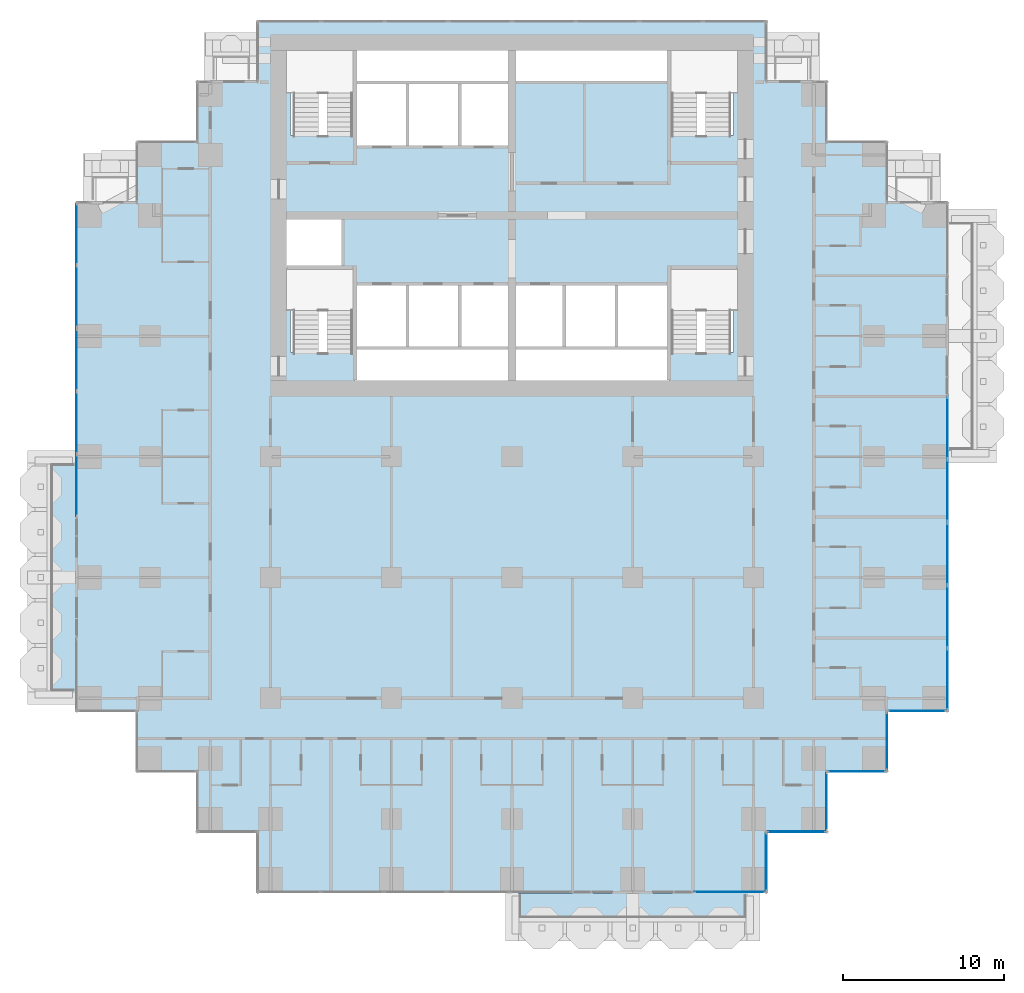
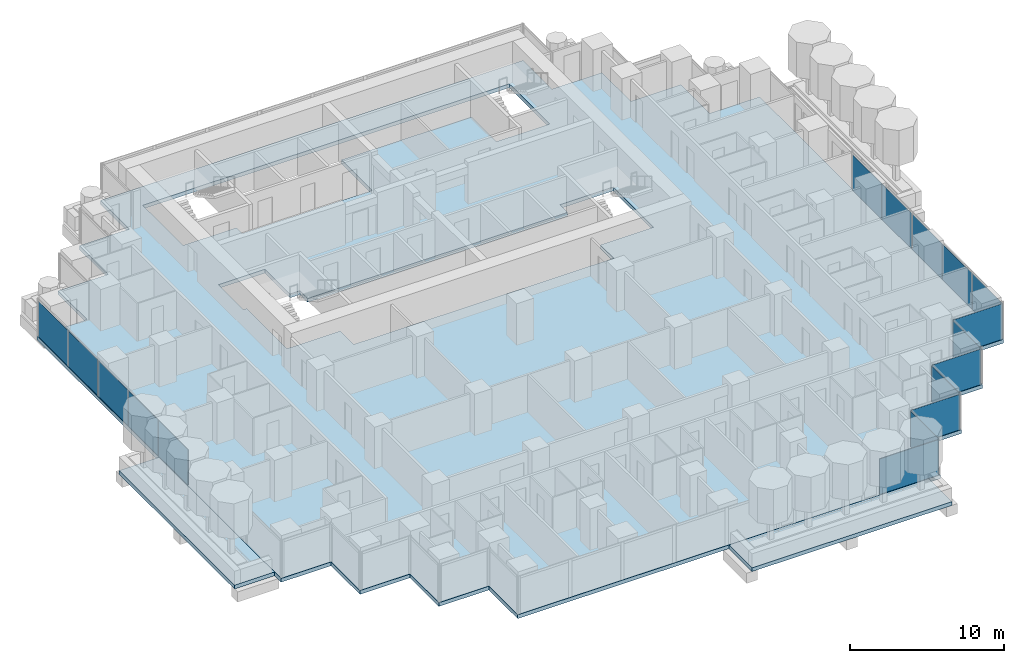
# One storey, part 8 of 20: 17 plates, 3 slabs, 11 elements without a shape of their own.
"""IFC4 building model written with IfcOpenShell, lengths in metres."""

from ifc_helpers import new_model, si_unit, direction, frame, origin, origin_2d, place, context, subcontext, project, spatial, polyline, rectangle, outline, extrude, material, layer, layer_set, type_object, element, aggregate, save


model = new_model("IFC4")

# Units and contexts
model_context = context("Model", 3, precision=1e-05, world=origin(), true_north=direction((0.0, 1.0)))
body_context = subcontext(model_context, "Body", "Model", "MODEL_VIEW")
ifc_project = project(units=[si_unit("LENGTHUNIT", "METRE"), si_unit("AREAUNIT", "SQUARE_METRE"), si_unit("VOLUMEUNIT", "CUBIC_METRE"), si_unit("PLANEANGLEUNIT", "RADIAN"), si_unit("MASSUNIT", "GRAM", prefix="KILO")], contexts=[model_context])

# Site, building, storey
site_placement = place(None, origin())
site = spatial("IfcSite", under=ifc_project, at=site_placement, CompositionType="ELEMENT")
building_placement = place(site_placement, origin())
building = spatial("IfcBuilding", under=site, at=building_placement, Name="Pilkhan Gate Tower", CompositionType="ELEMENT")
storey_placement = place(building_placement, frame((0.0, 0.0, 92.300048828125)))
storey = spatial("IfcBuildingStorey", under=building, at=storey_placement, Name="L22", CompositionType="ELEMENT", Elevation=92.300048828125)

# Slabs
ifc_material_1 = material(Name="Concrete C60/75", Category="concrete")
ifc_layer_1 = layer(ifc_material_1, 0.300048828125)
ifc_layer_set_1 = layer_set([ifc_layer_1], Name="Balcony tray slab TR300")
slab_type_1 = type_object("IfcSlabType", Name="Balcony tray slab TR300", PredefinedType="FLOOR", material=ifc_layer_set_1)
slab_1_placement = place(storey_placement, frame((0.0, 0.0, -0.300048828125)))
element("IfcSlab", 1, at=slab_1_placement, inside=storey, type_object=slab_type_1, Name="Balcony tray L22 S", PredefinedType="FLOOR", context=body_context, shape_type="SweptSolid", body=[
    extrude(outline(polyline([(90.0, 37.39990234375), (90.0, 40.39990234375), (75.0, 40.39990234375), (75.0, 37.39990234375), (90.0, 37.39990234375)])), origin(), (0.0, 0.0, 1.0), 0.300048828125),
])
slab_2_placement = place(storey_placement, frame((0.0, 0.0, -0.300048828125)))
element("IfcSlab", 2, at=slab_2_placement, inside=storey, type_object=slab_type_1, Name="Balcony tray L22 W", PredefinedType="FLOOR", context=body_context, shape_type="SweptSolid", body=[
    extrude(outline(polyline([(47.89990234375, 52.5), (47.89990234375, 67.5), (44.89990234375, 67.5), (44.89990234375, 52.5), (47.89990234375, 52.5)])), origin(), (0.0, 0.0, 1.0), 0.300048828125),
])
ifc_material_2 = material(Name="Concrete C40/50", Category="concrete")
ifc_layer_2 = layer(ifc_material_2, 0.300048828125)
ifc_layer_set_2 = layer_set([ifc_layer_2], Name="Flat plate slab FP300")
slab_type_2 = type_object("IfcSlabType", Name="Flat plate slab FP300", PredefinedType="FLOOR", material=ifc_layer_set_2)
slab_3_placement = place(storey_placement, frame((0.0, 0.0, -0.300048828125)))
element("IfcSlab", 3, at=slab_3_placement, inside=storey, type_object=slab_type_2, Name="Floor slab L22", PredefinedType="FLOOR", context=body_context, shape_type="SweptSolid", body=[
    extrude(outline(polyline([(98.35009765625, 47.89990234375), (94.60009765625, 47.89990234375), (94.60009765625, 44.14990234375), (90.85009765625, 44.14990234375), (90.85009765625, 40.39990234375), (59.14990234375, 40.39990234375), (59.14990234375, 44.14990234375), (55.39990234375, 44.14990234375), (55.39990234375, 47.89990234375), (51.64990234375, 47.89990234375), (51.64990234375, 51.64990234375), (47.89990234375, 51.64990234375), (47.89990234375, 83.35009765625), (51.64990234375, 83.35009765625), (51.64990234375, 87.10009765625), (55.39990234375, 87.10009765625), (55.39990234375, 90.85009765625), (59.14990234375, 90.85009765625), (59.14990234375, 94.60009765625), (90.85009765625, 94.60009765625), (90.85009765625, 90.85009765625), (94.60009765625, 90.85009765625), (94.60009765625, 87.10009765625), (98.35009765625, 87.10009765625), (98.35009765625, 83.35009765625), (102.10009765625, 83.35009765625), (102.10009765625, 51.64990234375), (98.35009765625, 51.64990234375), (98.35009765625, 47.89990234375)]), holes=[polyline([(65.25, 87.5), (65.25, 86.75), (68.5, 86.75), (71.75, 86.75), (75.0, 86.75), (75.0, 90.75), (84.75, 90.75), (84.75, 87.5), (88.75, 87.5), (88.75, 92.75), (84.75, 92.75), (75.0, 92.75), (65.25, 92.75), (61.25, 92.75), (61.25, 87.5), (65.25, 87.5)]), polyline([(75.0, 72.25), (84.75, 72.25), (84.75, 74.0), (88.75, 74.0), (88.75, 79.25), (84.75, 79.25), (84.75, 78.25), (81.5, 78.25), (78.25, 78.25), (75.0, 78.25), (71.75, 78.25), (68.5, 78.25), (65.25, 78.25), (65.25, 79.25), (64.5, 79.25), (64.5, 82.5), (61.25, 82.5), (61.0, 82.5), (61.0, 79.25), (61.25, 79.25), (61.25, 74.0), (65.25, 74.0), (65.25, 72.25), (75.0, 72.25)])]), origin(), (0.0, 0.0, 1.0), 0.300048828125),
])

# Curtain wall, plates
ifc_material_3 = material(Name="Pale anodised aluminium, clear low-iron double glazing", Category="aluminium")
curtain_wall_type = type_object("IfcCurtainWallType", Name="Hotel unitised curtain wall CW-H", PredefinedType="USERDEFINED", material=ifc_material_3)
curtain_wall_1_placement = place(storey_placement, origin())
curtain_wall_1 = element("IfcCurtainWall", 4, at=curtain_wall_1_placement, inside=storey, type_object=curtain_wall_type, Name="Hotel unitised curtain wall CW-H L22 E", ObjectType="UNITISED CURTAIN WALL", PredefinedType="USERDEFINED")
ifc_material_4 = material(Name="Clear low-iron double glazing", Category="glass")
ifc_layer_3 = layer(ifc_material_4, 0.035888671875)
ifc_layer_set_3 = layer_set([ifc_layer_3], Name="Glass panel CW-H 36")
plate_type = type_object("IfcPlateType", Name="Glass panel CW-H 36", PredefinedType="CURTAIN_PANEL", material=ifc_layer_set_3)
plate_1_placement = place(storey_placement, frame((102.044921875, 53.67578125, 0.0), z_axis=(0.0, 0.0, 1.0), x_axis=(0.0, 1.0, 0.0)))
plate_1 = element("IfcPlate", 5, at=plate_1_placement, type_object=plate_type, Name="CW-H panel 1", PredefinedType="CURTAIN_PANEL", context=body_context, shape_type="SweptSolid", body=[
    extrude(rectangle(XDim=3.8115234375, YDim=0.035888671875, at=origin_2d()), origin(), (0.0, 0.0, 1.0), 2.820068359375),
])
plate_2_placement = place(storey_placement, frame((102.044921875, 57.568603515625, 0.0), z_axis=(0.0, 0.0, 1.0), x_axis=(0.0, 1.0, 0.0)))
plate_2 = element("IfcPlate", 6, at=plate_2_placement, type_object=plate_type, Name="CW-H panel 2", PredefinedType="CURTAIN_PANEL", context=body_context, shape_type="SweptSolid", body=[
    extrude(rectangle(XDim=3.843994140625, YDim=0.035888671875, at=origin_2d()), origin(), (0.0, 0.0, 1.0), 2.820068359375),
])
plate_3_placement = place(storey_placement, frame((102.044921875, 61.461181640625, 0.0), z_axis=(0.0, 0.0, 1.0), x_axis=(0.0, 1.0, 0.0)))
plate_3 = element("IfcPlate", 7, at=plate_3_placement, type_object=plate_type, Name="CW-H panel 3", PredefinedType="CURTAIN_PANEL", context=body_context, shape_type="SweptSolid", body=[
    extrude(rectangle(XDim=3.8115234375, YDim=0.035888671875, at=origin_2d()), origin(), (0.0, 0.0, 1.0), 2.820068359375),
])
aggregate(curtain_wall_1, [plate_1, plate_2, plate_3])

curtain_wall_2_placement = place(storey_placement, origin())
curtain_wall_2 = element("IfcCurtainWall", 8, at=curtain_wall_2_placement, inside=storey, type_object=curtain_wall_type, Name="Hotel unitised curtain wall CW-H L22 E", ObjectType="UNITISED CURTAIN WALL", PredefinedType="USERDEFINED")
plate_4_placement = place(storey_placement, frame((102.044921875, 65.40283203125, 0.0), z_axis=(0.0, 0.0, 1.0), x_axis=(0.0, 1.0, 0.0)))
plate_4 = element("IfcPlate", 9, at=plate_4_placement, type_object=plate_type, Name="CW-H panel 1", PredefinedType="CURTAIN_PANEL", context=body_context, shape_type="SweptSolid", body=[
    extrude(rectangle(XDim=3.8115234375, YDim=0.035888671875, at=origin_2d()), origin(), (0.0, 0.0, 1.0), 2.820068359375),
])
plate_5_placement = place(storey_placement, frame((102.044921875, 69.279296875, 0.0), z_axis=(0.0, 0.0, 1.0), x_axis=(0.0, 1.0, 0.0)))
plate_5 = element("IfcPlate", 10, at=plate_5_placement, type_object=plate_type, Name="CW-H panel 2", PredefinedType="CURTAIN_PANEL", context=body_context, shape_type="SweptSolid", body=[
    extrude(rectangle(XDim=3.8115234375, YDim=0.035888671875, at=origin_2d()), origin(), (0.0, 0.0, 1.0), 2.820068359375),
])
aggregate(curtain_wall_2, [plate_4, plate_5])

curtain_wall_3_placement = place(storey_placement, origin())
curtain_wall_3 = element("IfcCurtainWall", 11, at=curtain_wall_3_placement, inside=storey, type_object=curtain_wall_type, Name="Hotel unitised curtain wall CW-H L22 W", ObjectType="UNITISED CURTAIN WALL", PredefinedType="USERDEFINED")
plate_6_placement = place(storey_placement, frame((47.955078125, 65.720703125, 0.0), z_axis=(0.0, 0.0, 1.0), x_axis=(0.0, 1.0, 0.0)))
plate_6 = element("IfcPlate", 12, at=plate_6_placement, type_object=plate_type, Name="CW-H panel 1", PredefinedType="CURTAIN_PANEL", context=body_context, shape_type="SweptSolid", body=[
    extrude(rectangle(XDim=3.8115234375, YDim=0.035888671875, at=origin_2d()), origin(), (0.0, 0.0, 1.0), 2.820068359375),
])
plate_7_placement = place(storey_placement, frame((47.955078125, 69.613525390625, 0.0), z_axis=(0.0, 0.0, 1.0), x_axis=(0.0, 1.0, 0.0)))
plate_7 = element("IfcPlate", 13, at=plate_7_placement, type_object=plate_type, Name="CW-H panel 2", PredefinedType="CURTAIN_PANEL", context=body_context, shape_type="SweptSolid", body=[
    extrude(rectangle(XDim=3.843994140625, YDim=0.035888671875, at=origin_2d()), origin(), (0.0, 0.0, 1.0), 2.820068359375),
])
plate_8_placement = place(storey_placement, frame((47.955078125, 73.50634765625, 0.0), z_axis=(0.0, 0.0, 1.0), x_axis=(0.0, 1.0, 0.0)))
plate_8 = element("IfcPlate", 14, at=plate_8_placement, type_object=plate_type, Name="CW-H panel 3", PredefinedType="CURTAIN_PANEL", context=body_context, shape_type="SweptSolid", body=[
    extrude(rectangle(XDim=3.8115234375, YDim=0.035888671875, at=origin_2d()), origin(), (0.0, 0.0, 1.0), 2.820068359375),
])
aggregate(curtain_wall_3, [plate_6, plate_7, plate_8])

curtain_wall_4_placement = place(storey_placement, origin())
curtain_wall_4 = element("IfcCurtainWall", 15, at=curtain_wall_4_placement, inside=storey, type_object=curtain_wall_type, Name="Hotel unitised curtain wall CW-H L22 W", ObjectType="UNITISED CURTAIN WALL", PredefinedType="USERDEFINED")
plate_9_placement = place(storey_placement, frame((47.955078125, 77.44775390625, 0.0), z_axis=(0.0, 0.0, 1.0), x_axis=(0.0, 1.0, 0.0)))
plate_9 = element("IfcPlate", 16, at=plate_9_placement, type_object=plate_type, Name="CW-H panel 1", PredefinedType="CURTAIN_PANEL", context=body_context, shape_type="SweptSolid", body=[
    extrude(rectangle(XDim=3.8115234375, YDim=0.035888671875, at=origin_2d()), origin(), (0.0, 0.0, 1.0), 2.820068359375),
])
plate_10_placement = place(storey_placement, frame((47.955078125, 81.32421875, 0.0), z_axis=(0.0, 0.0, 1.0), x_axis=(0.0, 1.0, 0.0)))
plate_10 = element("IfcPlate", 17, at=plate_10_placement, type_object=plate_type, Name="CW-H panel 2", PredefinedType="CURTAIN_PANEL", context=body_context, shape_type="SweptSolid", body=[
    extrude(rectangle(XDim=3.8115234375, YDim=0.035888671875, at=origin_2d()), origin(), (0.0, 0.0, 1.0), 2.820068359375),
])
aggregate(curtain_wall_4, [plate_9, plate_10])

# Curtain wall, plate
curtain_wall_5_placement = place(storey_placement, origin())
curtain_wall_5 = element("IfcCurtainWall", 18, at=curtain_wall_5_placement, inside=storey, type_object=curtain_wall_type, Name="Hotel unitised curtain wall CW-H L22 S", ObjectType="UNITISED CURTAIN WALL", PredefinedType="USERDEFINED")
plate_11_placement = place(storey_placement, frame((88.5224609375, 40.455078125, 0.0), z_axis=(0.0, 0.0, 1.0), x_axis=(1.0, 0.0, 0.0)))
plate_11 = element("IfcPlate", 19, at=plate_11_placement, type_object=plate_type, Name="CW-H panel 1", PredefinedType="CURTAIN_PANEL", context=body_context, shape_type="SweptSolid", body=[
    extrude(rectangle(XDim=4.4150390625, YDim=0.035888671875, at=origin_2d()), origin(), (0.0, 0.0, 1.0), 2.820068359375),
])
aggregate(curtain_wall_5, [plate_11])

curtain_wall_6_placement = place(storey_placement, origin())
curtain_wall_6 = element("IfcCurtainWall", 20, at=curtain_wall_6_placement, inside=storey, type_object=curtain_wall_type, Name="Hotel unitised curtain wall CW-H L22 E", ObjectType="UNITISED CURTAIN WALL", PredefinedType="USERDEFINED")
plate_12_placement = place(storey_placement, frame((90.794921875, 42.330078125, 0.0), z_axis=(0.0, 0.0, 1.0), x_axis=(0.0, 1.0, 0.0)))
plate_12 = element("IfcPlate", 21, at=plate_12_placement, type_object=plate_type, Name="CW-H panel 1", PredefinedType="CURTAIN_PANEL", context=body_context, shape_type="SweptSolid", body=[
    extrude(rectangle(XDim=3.6201171875, YDim=0.035888671875, at=origin_2d()), origin(), (0.0, 0.0, 1.0), 2.820068359375),
])
aggregate(curtain_wall_6, [plate_12])

curtain_wall_7_placement = place(storey_placement, origin())
curtain_wall_7 = element("IfcCurtainWall", 22, at=curtain_wall_7_placement, inside=storey, type_object=curtain_wall_type, Name="Hotel unitised curtain wall CW-H L22 S", ObjectType="UNITISED CURTAIN WALL", PredefinedType="USERDEFINED")
plate_13_placement = place(storey_placement, frame((92.669921875, 44.205078125, 0.0), z_axis=(0.0, 0.0, 1.0), x_axis=(1.0, 0.0, 0.0)))
plate_13 = element("IfcPlate", 23, at=plate_13_placement, type_object=plate_type, Name="CW-H panel 1", PredefinedType="CURTAIN_PANEL", context=body_context, shape_type="SweptSolid", body=[
    extrude(rectangle(XDim=3.6201171875, YDim=0.035888671875, at=origin_2d()), origin(), (0.0, 0.0, 1.0), 2.820068359375),
])
aggregate(curtain_wall_7, [plate_13])

curtain_wall_8_placement = place(storey_placement, origin())
curtain_wall_8 = element("IfcCurtainWall", 24, at=curtain_wall_8_placement, inside=storey, type_object=curtain_wall_type, Name="Hotel unitised curtain wall CW-H L22 E", ObjectType="UNITISED CURTAIN WALL", PredefinedType="USERDEFINED")
plate_14_placement = place(storey_placement, frame((94.544921875, 46.080078125, 0.0), z_axis=(0.0, 0.0, 1.0), x_axis=(0.0, 1.0, 0.0)))
plate_14 = element("IfcPlate", 25, at=plate_14_placement, type_object=plate_type, Name="CW-H panel 1", PredefinedType="CURTAIN_PANEL", context=body_context, shape_type="SweptSolid", body=[
    extrude(rectangle(XDim=3.6201171875, YDim=0.035888671875, at=origin_2d()), origin(), (0.0, 0.0, 1.0), 2.820068359375),
])
aggregate(curtain_wall_8, [plate_14])

curtain_wall_9_placement = place(storey_placement, origin())
curtain_wall_9 = element("IfcCurtainWall", 26, at=curtain_wall_9_placement, inside=storey, type_object=curtain_wall_type, Name="Hotel unitised curtain wall CW-H L22 S", ObjectType="UNITISED CURTAIN WALL", PredefinedType="USERDEFINED")
plate_15_placement = place(storey_placement, frame((96.419921875, 47.955078125, 0.0), z_axis=(0.0, 0.0, 1.0), x_axis=(1.0, 0.0, 0.0)))
plate_15 = element("IfcPlate", 27, at=plate_15_placement, type_object=plate_type, Name="CW-H panel 1", PredefinedType="CURTAIN_PANEL", context=body_context, shape_type="SweptSolid", body=[
    extrude(rectangle(XDim=3.6201171875, YDim=0.035888671875, at=origin_2d()), origin(), (0.0, 0.0, 1.0), 2.820068359375),
])
aggregate(curtain_wall_9, [plate_15])

curtain_wall_10_placement = place(storey_placement, origin())
curtain_wall_10 = element("IfcCurtainWall", 28, at=curtain_wall_10_placement, inside=storey, type_object=curtain_wall_type, Name="Hotel unitised curtain wall CW-H L22 E", ObjectType="UNITISED CURTAIN WALL", PredefinedType="USERDEFINED")
plate_16_placement = place(storey_placement, frame((98.294921875, 49.830078125, 0.0), z_axis=(0.0, 0.0, 1.0), x_axis=(0.0, 1.0, 0.0)))
plate_16 = element("IfcPlate", 29, at=plate_16_placement, type_object=plate_type, Name="CW-H panel 1", PredefinedType="CURTAIN_PANEL", context=body_context, shape_type="SweptSolid", body=[
    extrude(rectangle(XDim=3.6201171875, YDim=0.035888671875, at=origin_2d()), origin(), (0.0, 0.0, 1.0), 2.820068359375),
])
aggregate(curtain_wall_10, [plate_16])

curtain_wall_11_placement = place(storey_placement, origin())
curtain_wall_11 = element("IfcCurtainWall", 30, at=curtain_wall_11_placement, inside=storey, type_object=curtain_wall_type, Name="Hotel unitised curtain wall CW-H L22 S", ObjectType="UNITISED CURTAIN WALL", PredefinedType="USERDEFINED")
plate_17_placement = place(storey_placement, frame((100.169921875, 51.705078125, 0.0), z_axis=(0.0, 0.0, 1.0), x_axis=(1.0, 0.0, 0.0)))
plate_17 = element("IfcPlate", 31, at=plate_17_placement, type_object=plate_type, Name="CW-H panel 1", PredefinedType="CURTAIN_PANEL", context=body_context, shape_type="SweptSolid", body=[
    extrude(rectangle(XDim=3.6201171875, YDim=0.035888671875, at=origin_2d()), origin(), (0.0, 0.0, 1.0), 2.820068359375),
])
aggregate(curtain_wall_11, [plate_17])

save(model, "model.ifc")
